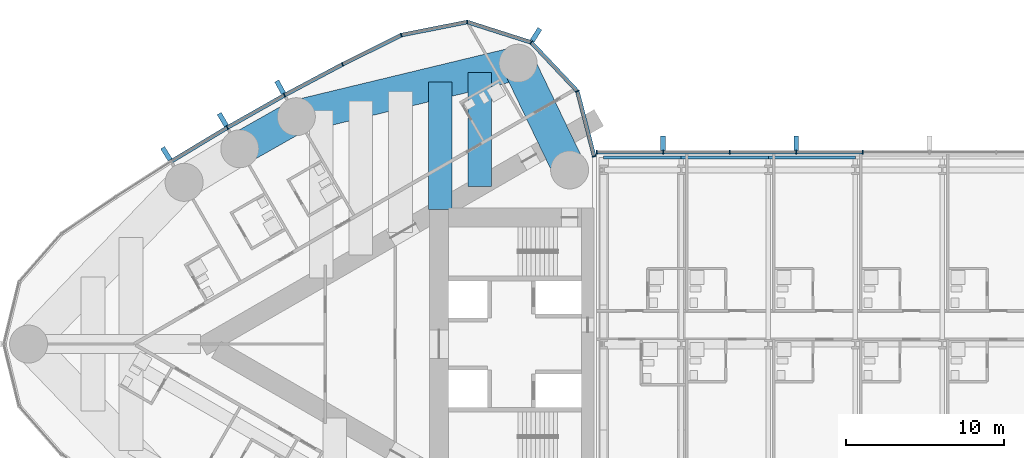
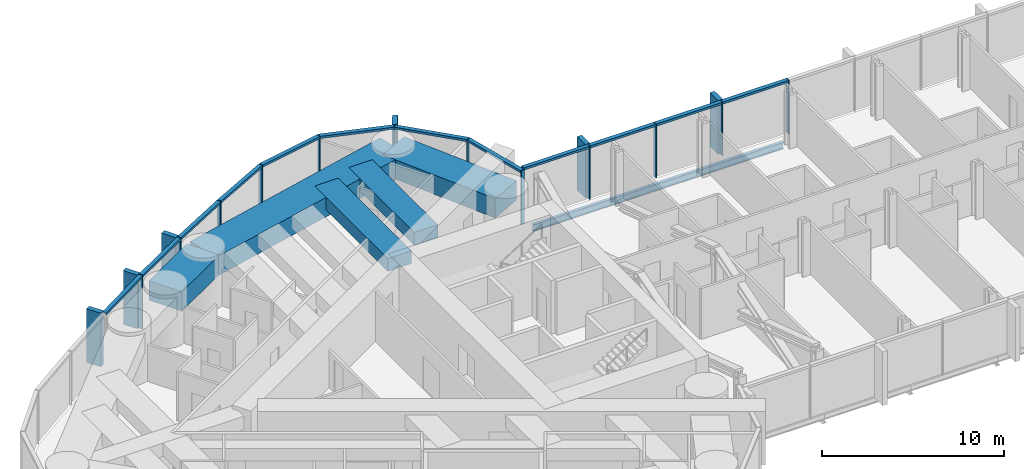
# One storey, part 5 of 23: 31 members, 8 beams, 2 elements without a shape of their own.
"""IFC4 building model written with IfcOpenShell, lengths in metres."""

import ifcopenshell
import ifcopenshell.guid

model = None  # the IFC model being written
_history = None  # IfcOwnerHistory: only IFC2X3 demands one
_inside = {}  # id of a spatial element -> (the spatial element, [elements in it])
_under = {}  # id of a project, library or spatial element -> (it, [spatial elements below it])
_declared = {}  # id of a project -> (the project, [libraries it declares])
_typed = {}  # id of a type object -> (the type object, [elements of that type])
_made_of = {}  # id of a material, layer set ... -> (it, [elements and type objects made of it])


def new_model(schema):
    """Start an empty IFC model of exactly this schema.

    Asked for "IFC4X3", IfcOpenShell would pick the latest addendum, in which some entities
    have other attributes; the version numbers below select the first issue.
    IFC2X3 requires an IfcOwnerHistory on every rooted entity: one is made here for all.
    """
    global model, _history
    if schema == "IFC4X3":
        model = ifcopenshell.file(schema_version=(4, 3, 0, 0))
    else:
        model = ifcopenshell.file(schema=schema)
    _inside.clear()
    _under.clear()
    _declared.clear()
    _typed.clear()
    _made_of.clear()
    _history = None
    if model.schema == "IFC2X3":
        org = make("IfcOrganization", Name="unknown")
        user = make(
            "IfcPersonAndOrganization",
            ThePerson=make("IfcPerson", FamilyName="unknown"),
            TheOrganization=org,
        )
        app = make(
            "IfcApplication",
            ApplicationDeveloper=org,
            Version="unknown",
            ApplicationFullName="unknown",
            ApplicationIdentifier="unknown",
        )
        _history = make(
            "IfcOwnerHistory",
            OwningUser=user,
            OwningApplication=app,
            ChangeAction="ADDED",
            CreationDate=0,
        )
    return model


def make(cls, **values):
    """One entity of the class cls with the attributes given. An attribute that is None is left unset."""
    return model.create_entity(
        cls, **{name: value for name, value in values.items() if value is not None}
    )


def rooted(cls, **values):
    """An entity with a GlobalId (a new one), such as an element, a storey or a relation."""
    return make(cls, GlobalId=ifcopenshell.guid.new(), OwnerHistory=_history, **values)


def si_unit(unit_type, name, prefix=None):
    """IfcSIUnit, for example si_unit("LENGTHUNIT", "METRE", prefix="MILLI")."""
    return make("IfcSIUnit", UnitType=unit_type, Prefix=prefix, Name=name)


def assignment(units):
    """IfcUnitAssignment: the units of a project."""
    return None if units is None else make("IfcUnitAssignment", Units=units)


def point(xyz):
    """IfcCartesianPoint."""
    return None if xyz is None else make("IfcCartesianPoint", Coordinates=xyz)


def direction(xyz):
    """IfcDirection."""
    return None if xyz is None else make("IfcDirection", DirectionRatios=xyz)


def frame(location, z_axis=None, x_axis=None):
    """IfcAxis2Placement3D, a coordinate frame: its origin and axes. An axis left out is left unset."""
    return make(
        "IfcAxis2Placement3D",
        Location=point(location),
        Axis=direction(z_axis),
        RefDirection=direction(x_axis),
    )


def frame_2d(location, x_axis=None):
    """IfcAxis2Placement2D, a coordinate frame in the plane: its origin and x axis."""
    return make(
        "IfcAxis2Placement2D", Location=point(location), RefDirection=direction(x_axis)
    )


def origin():
    """The frame at (0, 0, 0) with its axes left unset."""
    return frame((0.0, 0.0, 0.0))


def origin_2d():
    """The frame at (0, 0) in the plane with its x axis left unset."""
    return frame_2d((0.0, 0.0))


def place(relative_to, where):
    """IfcLocalPlacement: puts the frame where relative to a parent placement (None: the world)."""
    return make(
        "IfcLocalPlacement", PlacementRelTo=relative_to, RelativePlacement=where
    )


def context(
    kind, dimensions, precision=None, world=None, true_north=None, identifier=None
):
    """IfcGeometricRepresentationContext, for example the 3D "Model" context."""
    return make(
        "IfcGeometricRepresentationContext",
        ContextIdentifier=identifier,
        ContextType=kind,
        CoordinateSpaceDimension=dimensions,
        Precision=precision,
        WorldCoordinateSystem=world,
        TrueNorth=true_north,
    )


def subcontext(parent, identifier, kind, view, scale=None):
    """IfcGeometricRepresentationSubContext, for example "Body" below "Model"."""
    return make(
        "IfcGeometricRepresentationSubContext",
        ContextIdentifier=identifier,
        ContextType=kind,
        ParentContext=parent,
        TargetScale=scale,
        TargetView=view,
    )


def project(units=None, contexts=None):
    """IfcProject with its units and contexts."""
    return rooted(
        "IfcProject",
        Name="project",
        RepresentationContexts=contexts,
        UnitsInContext=assignment(units),
    )


def spatial(cls, under=None, at=None, **own):
    """A site, building, storey or space (cls), placed at a placement, below another one or the project."""
    s = rooted(cls, ObjectPlacement=at, **own)
    if under is not None:
        _under.setdefault(under.id(), (under, []))[1].append(s)
    return s


def profile(cls, at=None, kind="AREA", **sizes):
    """A parametric profile (cls). Its sizes go by their IFC names, for example OverallWidth=200.0."""
    return make(cls, ProfileType=kind, Position=at, **sizes)


def rectangle(**sizes):
    """IfcRectangleProfileDef."""
    return profile("IfcRectangleProfileDef", **sizes)


def i_section(**sizes):
    """IfcIShapeProfileDef."""
    return profile("IfcIShapeProfileDef", **sizes)


def extrude(swept, where, along, depth):
    """IfcExtrudedAreaSolid: the profile swept, set in the frame where, extruded along a direction by depth."""
    return make(
        "IfcExtrudedAreaSolid",
        SweptArea=swept,
        Position=where,
        ExtrudedDirection=direction(along),
        Depth=depth,
    )


def shape(context_of_items, identifier, shape_type, items):
    """IfcShapeRepresentation: the items that make up one representation, for example the "Body"."""
    return make(
        "IfcShapeRepresentation",
        ContextOfItems=context_of_items,
        RepresentationIdentifier=identifier,
        RepresentationType=shape_type,
        Items=items,
    )


def material(Name=None, Category=None):
    """IfcMaterial."""
    return make("IfcMaterial", Name=Name, Category=Category)


def material_profile(
    of_material, cross_section, Name=None, Category=None, Priority=None
):
    """IfcMaterialProfile: a cross section and its material."""
    return make(
        "IfcMaterialProfile",
        Name=Name,
        Material=of_material,
        Profile=cross_section,
        Priority=Priority,
        Category=Category,
    )


def profile_set(profiles, Name=None, composite=None):
    """IfcMaterialProfileSet."""
    return make(
        "IfcMaterialProfileSet",
        Name=Name,
        MaterialProfiles=profiles,
        CompositeProfile=composite,
    )


def made_of(thing, what):
    """Note that an element or type object is made of a material, layer set ...; save() writes the relation."""
    if what is not None:
        _made_of.setdefault(what.id(), (what, []))[1].append(thing)
    return thing


def type_object(cls, material=None, **own):
    """A type object (cls), such as IfcWallType, which elements share."""
    return made_of(rooted(cls, **own), material)


def element(
    cls,
    number,
    at=None,
    inside=None,
    cuts=None,
    type_object=None,
    material=None,
    context=None,
    identifier="Body",
    shape_type=None,
    held_by="IfcProductDefinitionShape",
    body=None,
    shapes=None,
    **own,
):
    """One element of the class cls, such as IfcWall. Its Tag is "e" and its number.

    at: its placement. inside: the storey or other place that contains it. cuts: it is an
    opening in that element (IfcRelVoidsElement). A single representation is given by context,
    identifier, shape_type and body (its items); several are given by shapes. held_by: the class
    of the entity that holds the representations. save() writes the other relations.
    """
    e = rooted(cls, Tag="e%d" % number, ObjectPlacement=at, **own)
    if body is not None:
        shapes = [shape(context, identifier, shape_type, body)]
    if shapes is not None:
        e.Representation = make(held_by, Representations=shapes)
    if inside is not None:
        _inside.setdefault(inside.id(), (inside, []))[1].append(e)
    if cuts is not None:
        rooted(
            "IfcRelVoidsElement", RelatingBuildingElement=cuts, RelatedOpeningElement=e
        )
    if type_object is not None:
        _typed.setdefault(type_object.id(), (type_object, []))[1].append(e)
    return made_of(e, material)


def aggregate(whole, parts):
    """IfcRelAggregates: a whole, such as a stair, and the parts it consists of."""
    return rooted("IfcRelAggregates", RelatingObject=whole, RelatedObjects=parts)


def save(model, path):
    """Write the relations noted so far, then the file.

    IfcRelAggregates (storeys below a building ...), IfcRelContainedInSpatialStructure (elements
    in a storey), IfcRelDefinesByType, IfcRelAssociatesMaterial and IfcRelDeclares: one each for
    every whole, place, type object, material and project.
    """
    for whole, parts in _under.values():
        aggregate(whole, parts)
    for where, things in _inside.values():
        rooted(
            "IfcRelContainedInSpatialStructure",
            RelatedElements=things,
            RelatingStructure=where,
        )
    for kind, things in _typed.values():
        rooted("IfcRelDefinesByType", RelatedObjects=things, RelatingType=kind)
    for what, things in _made_of.values():
        rooted("IfcRelAssociatesMaterial", RelatedObjects=things, RelatingMaterial=what)
    for by, libraries in _declared.values():
        rooted("IfcRelDeclares", RelatingContext=by, RelatedDefinitions=libraries)
    model.write(path)


model = new_model("IFC4")

# Units and contexts
model_context = context("Model", 3, precision=1e-05, world=origin(), true_north=direction((0.0, 1.0)))
body_context = subcontext(model_context, "Body", "Model", "MODEL_VIEW")
ifc_project = project(units=[si_unit("LENGTHUNIT", "METRE"), si_unit("AREAUNIT", "SQUARE_METRE"), si_unit("VOLUMEUNIT", "CUBIC_METRE"), si_unit("PLANEANGLEUNIT", "RADIAN"), si_unit("MASSUNIT", "GRAM", prefix="KILO")], contexts=[model_context])

# Site, building, storey
site_placement = place(None, origin())
site = spatial("IfcSite", under=ifc_project, at=site_placement, CompositionType="ELEMENT")
building_placement = place(site_placement, origin())
building = spatial("IfcBuilding", under=site, at=building_placement, Name="Lancet Gate Hotel", CompositionType="ELEMENT")
storey_placement = place(building_placement, frame((0.0, 0.0, 222.5)))
storey = spatial("IfcBuildingStorey", under=building, at=storey_placement, Name="L59", CompositionType="ELEMENT", Elevation=222.5)

# Curtain wall, members
ifc_material_1 = material(Name="Aluminium curtain wall", Category="aluminium")
curtain_wall_type_1 = type_object("IfcCurtainWallType", Name="Tower unitised curtain wall", PredefinedType="USERDEFINED", material=ifc_material_1)
curtain_wall_1_placement = place(storey_placement, origin())
curtain_wall_1 = element("IfcCurtainWall", 1, at=curtain_wall_1_placement, inside=storey, type_object=curtain_wall_type_1, Name="T1 L59 curtain wall 1", ObjectType="UNITISED CURTAIN WALL", PredefinedType="USERDEFINED")
ifc_material_2 = material(Name="Aluminium mullion", Category="aluminium")
ifc_material_profile_1 = material_profile(ifc_material_2, rectangle(XDim=0.06494140625, YDim=0.25, at=origin_2d()), Name="MULLION 65x250")
ifc_profile_set_1 = profile_set([ifc_material_profile_1], Name="Aluminium mullion")
member_type_1 = type_object("IfcMemberType", Name="Aluminium mullion 65x250", PredefinedType="MULLION", material=ifc_profile_set_1)
member_1_placement = place(storey_placement, frame((-27.5, 11.861572265625, 0.0), z_axis=(0.0, 0.0, 1.0), x_axis=(-0.249725827997, 0.968316586056, 0.0)))
member_1 = element("IfcMember", 2, at=member_1_placement, type_object=member_type_1, Name="T1 L59 curtain wall 1 mullion 1", PredefinedType="MULLION", context=body_context, shape_type="SweptSolid", body=[
    extrude(rectangle(XDim=0.06494140625, YDim=0.25, at=origin_2d()), origin(), (0.0, 0.0, 1.0), 3.60009765625),
])
member_2_placement = place(storey_placement, frame((-28.56005859375, 15.97216796875, 0.0), z_axis=(0.0, 0.0, 1.0), x_axis=(-0.483627322447, 0.875274021654, 0.0)))
member_2 = element("IfcMember", 3, at=member_2_placement, type_object=member_type_1, Name="T1 L59 curtain wall 1 mullion 2", PredefinedType="MULLION", context=body_context, shape_type="SweptSolid", body=[
    extrude(rectangle(XDim=0.06494140625, YDim=0.25, at=origin_2d()), origin(), (0.0, 0.0, 1.0), 3.60009765625),
])
member_3_placement = place(storey_placement, frame((-31.476318359375, 19.0576171875, 0.0), z_axis=(0.0, 0.0, 1.0), x_axis=(-0.846612863, 0.532209225966, 0.0)))
member_3 = element("IfcMember", 4, at=member_3_placement, type_object=member_type_1, Name="T1 L59 curtain wall 1 mullion 3", PredefinedType="MULLION", context=body_context, shape_type="SweptSolid", body=[
    extrude(rectangle(XDim=0.06494140625, YDim=0.25, at=origin_2d()), origin(), (0.0, 0.0, 1.0), 3.60009765625),
])
member_4_placement = place(storey_placement, frame((-35.520751953125, 20.347900390625, 0.0), z_axis=(0.0, 0.0, 1.0), x_axis=(-0.998409168318, 0.056383797491, 0.0)))
member_4 = element("IfcMember", 5, at=member_4_placement, type_object=member_type_1, Name="T1 L59 curtain wall 1 mullion 4", PredefinedType="MULLION", context=body_context, shape_type="SweptSolid", body=[
    extrude(rectangle(XDim=0.06494140625, YDim=0.25, at=origin_2d()), origin(), (0.0, 0.0, 1.0), 3.60009765625),
])
member_5_placement = place(storey_placement, frame((-39.684814453125, 19.521240234375, 0.0), z_axis=(0.0, 0.0, 1.0), x_axis=(-0.946887706423, -0.321564412561, 0.0)))
member_5 = element("IfcMember", 6, at=member_5_placement, type_object=member_type_1, Name="T1 L59 curtain wall 1 mullion 5", PredefinedType="MULLION", context=body_context, shape_type="SweptSolid", body=[
    extrude(rectangle(XDim=0.06494140625, YDim=0.25, at=origin_2d()), origin(), (0.0, 0.0, 1.0), 3.60009765625),
])
member_6_placement = place(storey_placement, frame((-43.3994140625, 17.67236328125, 0.0), z_axis=(0.0, 0.0, 1.0), x_axis=(-0.889155526065, -0.457605125046, 0.0)))
member_6 = element("IfcMember", 7, at=member_6_placement, type_object=member_type_1, Name="T1 L59 curtain wall 1 mullion 6", PredefinedType="MULLION", context=body_context, shape_type="SweptSolid", body=[
    extrude(rectangle(XDim=0.06494140625, YDim=0.25, at=origin_2d()), origin(), (0.0, 0.0, 1.0), 3.60009765625),
])
member_7_placement = place(storey_placement, frame((-47.062744140625, 15.72412109375, 0.0), z_axis=(0.0, 0.0, 1.0), x_axis=(-0.876516407283, -0.481371984815, 0.0)))
member_7 = element("IfcMember", 8, at=member_7_placement, type_object=member_type_1, Name="T1 L59 curtain wall 1 mullion 7", PredefinedType="MULLION", context=body_context, shape_type="SweptSolid", body=[
    extrude(rectangle(XDim=0.06494140625, YDim=0.25, at=origin_2d()), origin(), (0.0, 0.0, 1.0), 3.60009765625),
])
member_8_placement = place(storey_placement, frame((-50.67236328125, 13.677978515625, 0.0), z_axis=(0.0, 0.0, 1.0), x_axis=(-0.863242155108, -0.504790037189, 0.0)))
member_8 = element("IfcMember", 9, at=member_8_placement, type_object=member_type_1, Name="T1 L59 curtain wall 1 mullion 8", PredefinedType="MULLION", context=body_context, shape_type="SweptSolid", body=[
    extrude(rectangle(XDim=0.06494140625, YDim=0.25, at=origin_2d()), origin(), (0.0, 0.0, 1.0), 3.60009765625),
])

ifc_material_3 = material(Name="Aluminium curtain wall", Category="aluminium")
curtain_wall_type_2 = type_object("IfcCurtainWallType", Name="Bridge block curtain wall", PredefinedType="USERDEFINED", material=ifc_material_3)
curtain_wall_2_placement = place(storey_placement, origin())
curtain_wall_2 = element("IfcCurtainWall", 10, at=curtain_wall_2_placement, inside=storey, type_object=curtain_wall_type_2, Name="Bridge block L59 curtain wall N", ObjectType="UNITISED CURTAIN WALL", PredefinedType="USERDEFINED")
member_9_placement = place(storey_placement, frame((-10.519287109375, 12.1201171875, 0.0), z_axis=(0.0, 0.0, 1.0), x_axis=(-1.0, 0.0, 0.0)))
member_9 = element("IfcMember", 11, at=member_9_placement, type_object=member_type_1, Name="Bridge block L59 curtain wall N mullion 10", PredefinedType="MULLION", context=body_context, shape_type="SweptSolid", body=[
    extrude(rectangle(XDim=0.06494140625, YDim=0.25, at=origin_2d()), origin(), (0.0, 0.0, 1.0), 3.60009765625),
])
member_10_placement = place(storey_placement, frame((-14.726806640625, 12.1201171875, 0.0), z_axis=(0.0, 0.0, 1.0), x_axis=(-1.0, 0.0, 0.0)))
member_10 = element("IfcMember", 12, at=member_10_placement, type_object=member_type_1, Name="Bridge block L59 curtain wall N mullion 11", PredefinedType="MULLION", context=body_context, shape_type="SweptSolid", body=[
    extrude(rectangle(XDim=0.06494140625, YDim=0.25, at=origin_2d()), origin(), (0.0, 0.0, 1.0), 3.60009765625),
])
member_11_placement = place(storey_placement, frame((-18.9345703125, 12.1201171875, 0.0), z_axis=(0.0, 0.0, 1.0), x_axis=(-1.0, 0.0, 0.0)))
member_11 = element("IfcMember", 13, at=member_11_placement, type_object=member_type_1, Name="Bridge block L59 curtain wall N mullion 12", PredefinedType="MULLION", context=body_context, shape_type="SweptSolid", body=[
    extrude(rectangle(XDim=0.06494140625, YDim=0.25, at=origin_2d()), origin(), (0.0, 0.0, 1.0), 3.60009765625),
])
member_12_placement = place(storey_placement, frame((-23.142333984375, 12.1201171875, 0.0), z_axis=(0.0, 0.0, 1.0), x_axis=(-1.0, 0.0, 0.0)))
member_12 = element("IfcMember", 14, at=member_12_placement, type_object=member_type_1, Name="Bridge block L59 curtain wall N mullion 13", PredefinedType="MULLION", context=body_context, shape_type="SweptSolid", body=[
    extrude(rectangle(XDim=0.06494140625, YDim=0.25, at=origin_2d()), origin(), (0.0, 0.0, 1.0), 3.60009765625),
])
member_13_placement = place(storey_placement, frame((-27.35009765625, 12.1201171875, 0.0), z_axis=(0.0, 0.0, 1.0), x_axis=(-1.0, 0.0, 0.0)))
member_13 = element("IfcMember", 15, at=member_13_placement, type_object=member_type_1, Name="Bridge block L59 curtain wall N mullion 14", PredefinedType="MULLION", context=body_context, shape_type="SweptSolid", body=[
    extrude(rectangle(XDim=0.06494140625, YDim=0.25, at=origin_2d()), origin(), (0.0, 0.0, 1.0), 3.60009765625),
])

# Member
ifc_material_4 = material(Name="Aluminium transom", Category="aluminium")
ifc_material_profile_2 = material_profile(ifc_material_4, rectangle(XDim=0.25, YDim=0.14990234375, at=origin_2d()), Name="TRANSOM 250x150")
ifc_profile_set_2 = profile_set([ifc_material_profile_2], Name="Aluminium transom")
member_type_2 = type_object("IfcMemberType", Name="Aluminium transom 250x150", PredefinedType="USERDEFINED", material=ifc_profile_set_2)
member_14_placement = place(storey_placement, frame((-27.508056640625, 11.892822265625, 3.52490234375), z_axis=(-0.249715522936, 0.968319243641, 0.0), x_axis=(-0.968319243641, -0.249715522936, 0.0)))
member_14 = element("IfcMember", 16, at=member_14_placement, type_object=member_type_2, Name="T1 L59 curtain wall 1 transom 1", ObjectType="TRANSOM", PredefinedType="USERDEFINED", context=body_context, shape_type="SweptSolid", body=[
    extrude(rectangle(XDim=0.25, YDim=0.14990234375, at=origin_2d()), origin(), (0.0, 0.0, 1.0), 4.180419921875),
])

member_15_placement = place(storey_placement, frame((-28.58251953125, 15.995849609375, 3.52490234375), z_axis=(-0.686880731091, 0.726770157103, 0.0), x_axis=(-0.726770157103, -0.686880731091, 0.0)))
member_15 = element("IfcMember", 17, at=member_15_placement, type_object=member_type_2, Name="T1 L59 curtain wall 1 transom 2", ObjectType="TRANSOM", PredefinedType="USERDEFINED", context=body_context, shape_type="SweptSolid", body=[
    extrude(rectangle(XDim=0.25, YDim=0.14990234375, at=origin_2d()), origin(), (0.0, 0.0, 1.0), 4.18017578125),
])

member_16_placement = place(storey_placement, frame((-31.507080078125, 19.067626953125, 3.52490234375), z_axis=(-0.952697713775, 0.303919506068, 0.0), x_axis=(-0.303919506068, -0.952697713775, 0.0)))
member_16 = element("IfcMember", 18, at=member_16_placement, type_object=member_type_2, Name="T1 L59 curtain wall 1 transom 3", ObjectType="TRANSOM", PredefinedType="USERDEFINED", context=body_context, shape_type="SweptSolid", body=[
    extrude(rectangle(XDim=0.25, YDim=0.14990234375, at=origin_2d()), origin(), (0.0, 0.0, 1.0), 4.180419921875),
])

member_17_placement = place(storey_placement, frame((-35.552734375, 20.341552734375, 3.52490234375), z_axis=(-0.980858234867, -0.194723196085, 0.0), x_axis=(0.194723196085, -0.980858234867, 0.0)))
member_17 = element("IfcMember", 19, at=member_17_placement, type_object=member_type_2, Name="T1 L59 curtain wall 1 transom 4", ObjectType="TRANSOM", PredefinedType="USERDEFINED", context=body_context, shape_type="SweptSolid", body=[
    extrude(rectangle(XDim=0.25, YDim=0.14990234375, at=origin_2d()), origin(), (0.0, 0.0, 1.0), 4.18017578125),
])

member_18_placement = place(storey_placement, frame((-39.7138671875, 19.5068359375, 3.52490234375), z_axis=(-0.895226720479, -0.445610950202, 0.0), x_axis=(0.445610950202, -0.895226720479, 0.0)))
member_18 = element("IfcMember", 20, at=member_18_placement, type_object=member_type_2, Name="T1 L59 curtain wall 1 transom 5", ObjectType="TRANSOM", PredefinedType="USERDEFINED", context=body_context, shape_type="SweptSolid", body=[
    extrude(rectangle(XDim=0.25, YDim=0.14990234375, at=origin_2d()), origin(), (0.0, 0.0, 1.0), 4.08447265625),
])

member_19_placement = place(storey_placement, frame((-43.427978515625, 17.656982421875, 3.52490234375), z_axis=(-0.882944619844, -0.469477154171, 0.0), x_axis=(0.469477154171, -0.882944619844, 0.0)))
member_19 = element("IfcMember", 21, at=member_19_placement, type_object=member_type_2, Name="T1 L59 curtain wall 1 transom 6", ObjectType="TRANSOM", PredefinedType="USERDEFINED", context=body_context, shape_type="SweptSolid", body=[
    extrude(rectangle(XDim=0.25, YDim=0.14990234375, at=origin_2d()), origin(), (0.0, 0.0, 1.0), 4.084228515625),
])

member_20_placement = place(storey_placement, frame((-47.091064453125, 15.7080078125, 3.52490234375), z_axis=(-0.869977740049, -0.493090997503, 0.0), x_axis=(0.493090997503, -0.869977740049, 0.0)))
member_20 = element("IfcMember", 22, at=member_20_placement, type_object=member_type_2, Name="T1 L59 curtain wall 1 transom 7", ObjectType="TRANSOM", PredefinedType="USERDEFINED", context=body_context, shape_type="SweptSolid", body=[
    extrude(rectangle(XDim=0.25, YDim=0.14990234375, at=origin_2d()), origin(), (0.0, 0.0, 1.0), 4.084228515625),
])

member_21_placement = place(storey_placement, frame((-50.7001953125, 13.661376953125, 3.52490234375), z_axis=(-0.856362214892, -0.516375596737, 0.0), x_axis=(0.516375596737, -0.856362214892, 0.0)))
member_21 = element("IfcMember", 23, at=member_21_placement, type_object=member_type_2, Name="T1 L59 curtain wall 1 transom 8", ObjectType="TRANSOM", PredefinedType="USERDEFINED", context=body_context, shape_type="SweptSolid", body=[
    extrude(rectangle(XDim=0.25, YDim=0.14990234375, at=origin_2d()), origin(), (0.0, 0.0, 1.0), 4.08447265625),
])

member_22_placement = place(storey_placement, frame((-10.5517578125, 12.1201171875, 3.52490234375), z_axis=(-1.0, 0.0, 0.0), x_axis=(0.0, -1.0, 0.0)))
member_22 = element("IfcMember", 24, at=member_22_placement, type_object=member_type_2, Name="Bridge block L59 curtain wall N transom 10", ObjectType="TRANSOM", PredefinedType="USERDEFINED", context=body_context, shape_type="SweptSolid", body=[
    extrude(rectangle(XDim=0.25, YDim=0.14990234375, at=origin_2d()), origin(), (0.0, 0.0, 1.0), 4.142578125),
])

member_23_placement = place(storey_placement, frame((-14.759521484375, 12.1201171875, 3.52490234375), z_axis=(-1.0, 0.0, 0.0), x_axis=(0.0, -1.0, 0.0)))
member_23 = element("IfcMember", 25, at=member_23_placement, type_object=member_type_2, Name="Bridge block L59 curtain wall N transom 11", ObjectType="TRANSOM", PredefinedType="USERDEFINED", context=body_context, shape_type="SweptSolid", body=[
    extrude(rectangle(XDim=0.25, YDim=0.14990234375, at=origin_2d()), origin(), (0.0, 0.0, 1.0), 4.142578125),
])

member_24_placement = place(storey_placement, frame((-18.967041015625, 12.1201171875, 3.52490234375), z_axis=(-1.0, 0.0, 0.0), x_axis=(0.0, -1.0, 0.0)))
member_24 = element("IfcMember", 26, at=member_24_placement, type_object=member_type_2, Name="Bridge block L59 curtain wall N transom 12", ObjectType="TRANSOM", PredefinedType="USERDEFINED", context=body_context, shape_type="SweptSolid", body=[
    extrude(rectangle(XDim=0.25, YDim=0.14990234375, at=origin_2d()), origin(), (0.0, 0.0, 1.0), 4.142822265625),
])

member_25_placement = place(storey_placement, frame((-23.1748046875, 12.1201171875, 3.52490234375), z_axis=(-1.0, 0.0, 0.0), x_axis=(0.0, -1.0, 0.0)))
member_25 = element("IfcMember", 27, at=member_25_placement, type_object=member_type_2, Name="Bridge block L59 curtain wall N transom 13", ObjectType="TRANSOM", PredefinedType="USERDEFINED", context=body_context, shape_type="SweptSolid", body=[
    extrude(rectangle(XDim=0.25, YDim=0.14990234375, at=origin_2d()), origin(), (0.0, 0.0, 1.0), 4.142578125),
])

# Beams
ifc_material_5 = material(Name="Steel S355", Category="steel")
ifc_material_profile_3 = material_profile(ifc_material_5, i_section(OverallWidth=0.19140625, OverallDepth=0.4599609375, WebThickness=0.010009765625, FlangeThickness=0.01611328125, FilletRadius=0.01025390625, at=origin_2d()), Name="UKB 457x191x82")
ifc_profile_set_3 = profile_set([ifc_material_profile_3], Name="Steel S355")
beam_type_1 = type_object("IfcBeamType", Name="Block edge beam UKB 457x191x82", PredefinedType="SPANDREL", material=ifc_profile_set_3)
beam_1_placement = place(storey_placement, frame((-26.89990234375, 11.800048828125, -0.429931640625), z_axis=(1.0, 0.0, 0.0), x_axis=(0.0, 1.0, 0.0)))
element("IfcBeam", 28, at=beam_1_placement, inside=storey, type_object=beam_type_1, Name="Block edge beam N 0-1 L59", PredefinedType="SPANDREL", context=body_context, shape_type="SweptSolid", body=[
    extrude(i_section(OverallWidth=0.19140625, OverallDepth=0.4599609375, WebThickness=0.010009765625, FlangeThickness=0.01611328125, FilletRadius=0.01025390625, at=origin_2d()), origin(), (0.0, 0.0, 1.0), 4.89990234375),
])
for number, where, z_axis, x_axis, name in (
    (29, (-22.0, 11.800048828125, -0.429931640625), (1.0, 0.0, 0.0), (0.0, 1.0, 0.0), "Block edge beam N 1-2 L59"),
    (30, (-16.5, 11.800048828125, -0.429931640625), (1.0, 0.0, 0.0), (0.0, 1.0, 0.0), "Block edge beam N 2-3 L59"),
):
    element("IfcBeam", number, at=place(storey_placement, frame(where, z_axis=z_axis, x_axis=x_axis)), inside=storey, type_object=beam_type_1, Name=name, PredefinedType="SPANDREL", context=body_context, shape_type="SweptSolid", body=[
        extrude(i_section(OverallWidth=0.19140625, OverallDepth=0.4599609375, WebThickness=0.010009765625, FlangeThickness=0.01611328125, FilletRadius=0.01025390625, at=origin_2d()), origin(), (0.0, 0.0, 1.0), 5.5),
    ])
ifc_material_6 = material(Name="Concrete C50/60", Category="concrete")
ifc_material_profile_4 = material_profile(ifc_material_6, rectangle(XDim=2.10009765625, YDim=1.300048828125, at=origin_2d()), Name="RC 2100x1300")
ifc_profile_set_4 = profile_set([ifc_material_profile_4], Name="Concrete C50/60")
beam_type_2 = type_object("IfcBeamType", Name="Edge beam RC 2100x1300", PredefinedType="SPANDREL", material=ifc_profile_set_4)
beam_2_placement = place(storey_placement, frame((-32.301025390625, 17.745361328125, 2.699951171875), z_axis=(-0.972132796948, -0.234430853556, 0.0), x_axis=(0.234430853556, -0.972132796948, 0.0)))
element("IfcBeam", 31, at=beam_2_placement, inside=storey, type_object=beam_type_2, Name="T1 edge beam EB1 L59", PredefinedType="SPANDREL", context=body_context, shape_type="SweptSolid", body=[
    extrude(rectangle(XDim=2.10009765625, YDim=1.300048828125, at=origin_2d()), origin(), (0.0, 0.0, 1.0), 14.41748046875),
])
beam_3_placement = place(storey_placement, frame((-46.316650390625, 14.365478515625, 2.699951171875), z_axis=(-0.869978841992, -0.493089053301, 0.0), x_axis=(0.493089053301, -0.869978841992, 0.0)))
element("IfcBeam", 32, at=beam_3_placement, inside=storey, type_object=beam_type_2, Name="T1 edge beam EB1 L59", PredefinedType="SPANDREL", context=body_context, shape_type="SweptSolid", body=[
    extrude(rectangle(XDim=2.10009765625, YDim=1.300048828125, at=origin_2d()), origin(), (0.0, 0.0, 1.0), 4.107666015625),
])
beam_4_placement = place(storey_placement, frame((-32.301025390625, 17.745361328125, 2.699951171875), z_axis=(0.434163599361, -0.900834040759, 0.0), x_axis=(0.900834040759, 0.434163599361, 0.0)))
element("IfcBeam", 33, at=beam_4_placement, inside=storey, type_object=beam_type_2, Name="T1 edge beam EB1 L59", PredefinedType="SPANDREL", context=body_context, shape_type="SweptSolid", body=[
    extrude(rectangle(XDim=2.10009765625, YDim=1.300048828125, at=origin_2d()), origin(), (0.0, 0.0, 1.0), 7.48779296875),
])

# Member
ifc_material_7 = material(Name="Precast concrete C50/60", Category="concrete")
ifc_material_profile_5 = material_profile(ifc_material_7, rectangle(XDim=0.300048828125, YDim=0.89990234375, at=origin_2d()), Name="FIN 300x900")
ifc_profile_set_5 = profile_set([ifc_material_profile_5], Name="Precast concrete C50/60")
member_type_3 = type_object("IfcMemberType", Name="Exposed concrete fin 300x900", PredefinedType="USERDEFINED", material=ifc_profile_set_5)
member_26_placement = place(storey_placement, frame((-31.170166015625, 19.54443359375, 0.0), z_axis=(0.0, 0.0, 1.0), x_axis=(-0.846612863, 0.532209225966, 0.0)))
member_26 = element("IfcMember", 34, at=member_26_placement, type_object=member_type_3, Name="T1 L59 curtain wall 1 fin 3", ObjectType="FIN", PredefinedType="USERDEFINED", context=body_context, shape_type="SweptSolid", body=[
    extrude(rectangle(XDim=0.300048828125, YDim=0.89990234375, at=origin_2d()), origin(), (0.0, 0.0, 1.0), 3.60009765625),
])

member_27_placement = place(storey_placement, frame((-47.339599609375, 16.22802734375, 0.0), z_axis=(0.0, 0.0, 1.0), x_axis=(-0.876516407283, -0.481371984815, 0.0)))
member_27 = element("IfcMember", 35, at=member_27_placement, type_object=member_type_3, Name="T1 L59 curtain wall 1 fin 7", ObjectType="FIN", PredefinedType="USERDEFINED", context=body_context, shape_type="SweptSolid", body=[
    extrude(rectangle(XDim=0.300048828125, YDim=0.89990234375, at=origin_2d()), origin(), (0.0, 0.0, 1.0), 3.60009765625),
])

member_28_placement = place(storey_placement, frame((-50.962646484375, 14.17431640625, 0.0), z_axis=(0.0, 0.0, 1.0), x_axis=(-0.863242155108, -0.504790037189, 0.0)))
member_28 = element("IfcMember", 36, at=member_28_placement, type_object=member_type_3, Name="T1 L59 curtain wall 1 fin 8", ObjectType="FIN", PredefinedType="USERDEFINED", context=body_context, shape_type="SweptSolid", body=[
    extrude(rectangle(XDim=0.300048828125, YDim=0.89990234375, at=origin_2d()), origin(), (0.0, 0.0, 1.0), 3.60009765625),
])

member_29_placement = place(storey_placement, frame((-54.529296875, 12.02392578125, 0.0), z_axis=(0.0, 0.0, 1.0), x_axis=(-0.849342388216, -0.527842313176, 0.0)))
member_29 = element("IfcMember", 37, at=member_29_placement, type_object=member_type_3, Name="T1 L59 curtain wall 1 fin 9", ObjectType="FIN", PredefinedType="USERDEFINED", context=body_context, shape_type="SweptSolid", body=[
    extrude(rectangle(XDim=0.300048828125, YDim=0.89990234375, at=origin_2d()), origin(), (0.0, 0.0, 1.0), 3.60009765625),
])

aggregate(curtain_wall_1, [member_1, member_2, member_3, member_26, member_4, member_5, member_6, member_7, member_27, member_8, member_28, member_29, member_14, member_15, member_16, member_17, member_18, member_19, member_20, member_21])

member_30_placement = place(storey_placement, frame((-14.726806640625, 12.695068359375, 0.0), z_axis=(0.0, 0.0, 1.0), x_axis=(-1.0, 0.0, 0.0)))
member_30 = element("IfcMember", 38, at=member_30_placement, type_object=member_type_3, Name="Bridge block L59 curtain wall N fin 11", ObjectType="FIN", PredefinedType="USERDEFINED", context=body_context, shape_type="SweptSolid", body=[
    extrude(rectangle(XDim=0.300048828125, YDim=0.89990234375, at=origin_2d()), origin(), (0.0, 0.0, 1.0), 3.60009765625),
])

member_31_placement = place(storey_placement, frame((-23.142333984375, 12.695068359375, 0.0), z_axis=(0.0, 0.0, 1.0), x_axis=(-1.0, 0.0, 0.0)))
member_31 = element("IfcMember", 39, at=member_31_placement, type_object=member_type_3, Name="Bridge block L59 curtain wall N fin 13", ObjectType="FIN", PredefinedType="USERDEFINED", context=body_context, shape_type="SweptSolid", body=[
    extrude(rectangle(XDim=0.300048828125, YDim=0.89990234375, at=origin_2d()), origin(), (0.0, 0.0, 1.0), 3.60009765625),
])

aggregate(curtain_wall_2, [member_9, member_10, member_30, member_11, member_12, member_31, member_13, member_22, member_23, member_24, member_25])

# Beams
ifc_material_8 = material(Name="Concrete C50/60", Category="concrete")
ifc_material_profile_6 = material_profile(ifc_material_8, rectangle(XDim=1.5, YDim=0.85009765625, at=origin_2d()), Name="RC 1500x850")
ifc_profile_set_6 = profile_set([ifc_material_profile_6], Name="Concrete C50/60")
beam_type_3 = type_object("IfcBeamType", Name="Floor beam RC 1500x850", PredefinedType="BEAM", material=ifc_profile_set_6)
beam_5_placement = place(storey_placement, frame((-34.720458984375, 17.161865234375, 2.925048828125), z_axis=(0.0, -1.0, 0.0), x_axis=(1.0, 0.0, 0.0)))
element("IfcBeam", 40, at=beam_5_placement, inside=storey, type_object=beam_type_3, Name="T1 floor beam F02S L59", PredefinedType="BEAM", context=body_context, shape_type="SweptSolid", body=[
    extrude(rectangle(XDim=1.5, YDim=0.85009765625, at=origin_2d()), origin(), (0.0, 0.0, 1.0), 7.203857421875),
])
beam_6_placement = place(storey_placement, frame((-37.227294921875, 16.557373046875, 2.925048828125), z_axis=(0.0, -1.0, 0.0), x_axis=(1.0, 0.0, 0.0)))
element("IfcBeam", 41, at=beam_6_placement, inside=storey, type_object=beam_type_3, Name="T1 floor beam F03S L59", PredefinedType="BEAM", context=body_context, shape_type="SweptSolid", body=[
    extrude(rectangle(XDim=1.5, YDim=0.85009765625, at=origin_2d()), origin(), (0.0, 0.0, 1.0), 8.046630859375),
])

save(model, "model.ifc")
